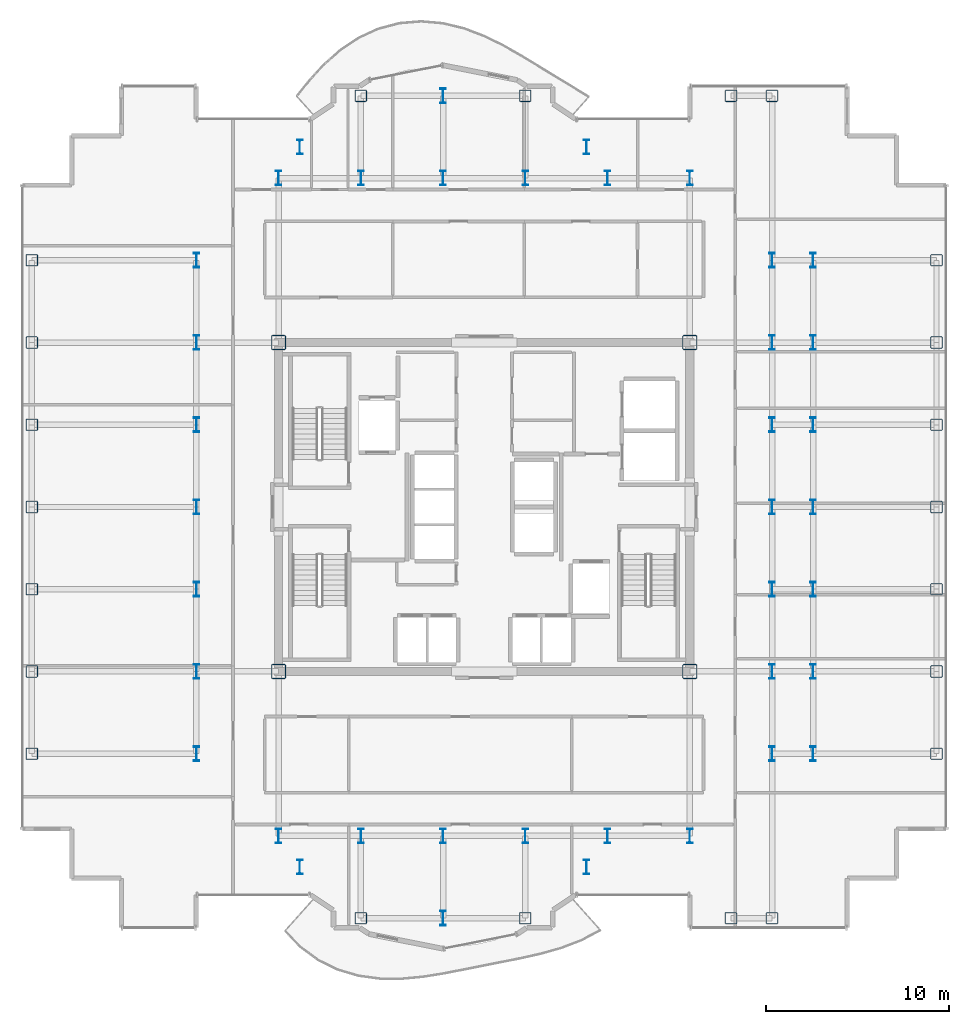
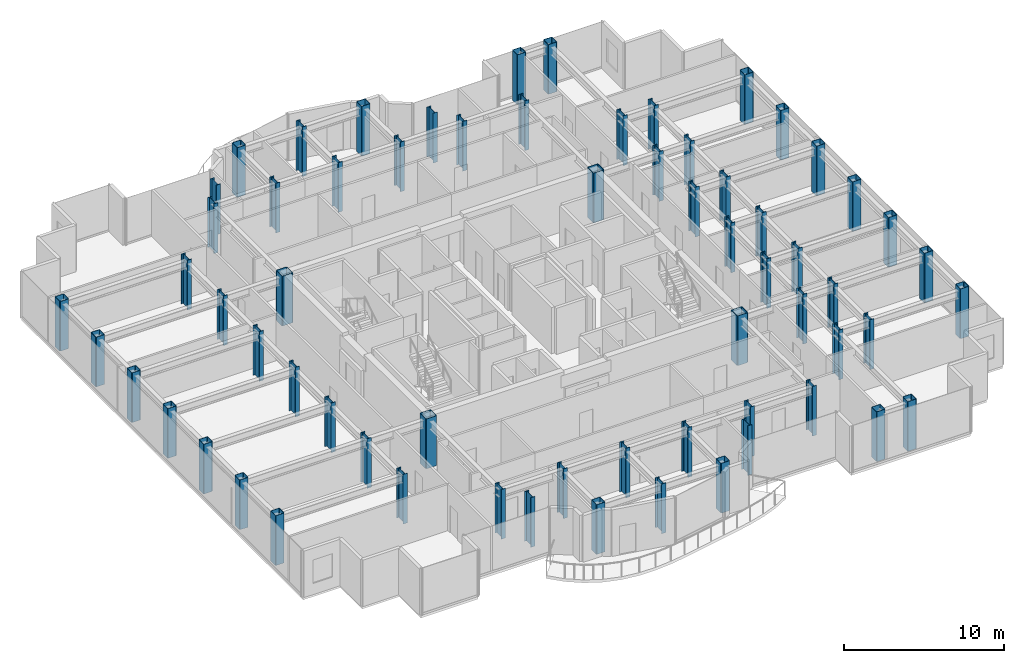
# One storey, part 1 of 21: 65 columns.
"""IFC4 building model written with IfcOpenShell, lengths in metres."""

from ifc_helpers import new_model, si_unit, direction, frame, origin, origin_2d, place, context, subcontext, project, spatial, hollow_rectangle, i_section, extrude, source, transform, mapped, material, material_profile, profile_set, type_object, element, save


model = new_model("IFC4")

# Units and contexts
model_context = context("Model", 3, precision=1e-05, world=origin(), true_north=direction((0.0, 1.0)))
body_context = subcontext(model_context, "Body", "Model", "MODEL_VIEW")
ifc_project = project(units=[si_unit("LENGTHUNIT", "METRE"), si_unit("AREAUNIT", "SQUARE_METRE"), si_unit("VOLUMEUNIT", "CUBIC_METRE"), si_unit("PLANEANGLEUNIT", "RADIAN"), si_unit("MASSUNIT", "GRAM", prefix="KILO")], contexts=[model_context])

# Site, building, storey
site_placement = place(None, origin())
site = spatial("IfcSite", under=ifc_project, at=site_placement, CompositionType="ELEMENT")
building_placement = place(site_placement, origin())
building = spatial("IfcBuilding", under=site, at=building_placement, Name="Nefas-Gora Pilgrimage Tower", CompositionType="ELEMENT")
storey_placement = place(building_placement, frame((0.0, 0.0, 248.39990234375)))
storey = spatial("IfcBuildingStorey", under=building, at=storey_placement, Name="L62", CompositionType="ELEMENT", Elevation=248.39990234375)

# Columns
ifc_material = material(Name="Steel S460", Category="steel")
ifc_material_profile_1 = material_profile(ifc_material, i_section(OverallWidth=0.302978515625, OverallDepth=0.81396484375, WebThickness=0.02099609375, FlangeThickness=0.0400390625, FilletRadius=0.030029296875, at=origin_2d()), Name="HEM 800")
ifc_profile_set_1 = profile_set([ifc_material_profile_1], Name="Steel S460")
column_type_1 = type_object("IfcColumnType", Name="COL-WEB-HEM800", PredefinedType="COLUMN", material=ifc_profile_set_1)
shared_shape_1 = source(origin(), body_context, "Body", "SweptSolid", [
    extrude(i_section(OverallWidth=0.302978515625, OverallDepth=0.81396484375, WebThickness=0.02099609375, FlangeThickness=0.0400390625, FilletRadius=0.030029296875, at=origin_2d()), origin(), (0.0, 0.0, 1.0), 3.800048828125),
])
for number, where, z_axis, x_axis, name in (
    (1, (-15.75, -13.5, 0.0), (0.0, 0.0, 1.0), (1.0, 0.0, 0.0), "L62 Tower Column CW-02.8"),
    (2, (-15.75, -9.0, 0.0), (0.0, 0.0, 1.0), (1.0, 0.0, 0.0), "L62 Tower Column CW-02.9"),
    (3, (-15.75, -4.5, 0.0), (0.0, 0.0, 1.0), (1.0, 0.0, 0.0), "L62 Tower Column CW-02.10"),
    (4, (-15.75, 0.0, 0.0), (0.0, 0.0, 1.0), (1.0, 0.0, 0.0), "L62 Tower Column CW-02.11"),
    (5, (-15.75, 4.5, 0.0), (0.0, 0.0, 1.0), (1.0, 0.0, 0.0), "L62 Tower Column CW-02.12"),
    (6, (-15.75, 9.0, 0.0), (0.0, 0.0, 1.0), (1.0, 0.0, 0.0), "L62 Tower Column CW-02.13"),
    (7, (-15.75, 13.5, 0.0), (0.0, 0.0, 1.0), (1.0, 0.0, 0.0), "L62 Tower Column CW-02.14"),
    (8, (-11.25, -18.0, 0.0), (0.0, 0.0, 1.0), (1.0, 0.0, 0.0), "L62 Tower Column CW-02.15"),
    (9, (-11.25, 18.0, 0.0), (0.0, 0.0, 1.0), (1.0, 0.0, 0.0), "L62 Tower Column CW-02.18"),
    (10, (-10.091064453125, -19.696044921875, 0.0), (0.0, 0.0, 1.0), (1.0, 0.0, 0.0), "L62 Tower Column CW-02.19"),
    (11, (-10.091064453125, 19.696044921875, 0.0), (0.0, 0.0, 1.0), (1.0, 0.0, 0.0), "L62 Tower Column CW-02.20"),
    (12, (-6.75, -18.0, 0.0), (0.0, 0.0, 1.0), (1.0, 0.0, 0.0), "L62 Tower Column CW-02.22"),
    (13, (-6.75, 18.0, 0.0), (0.0, 0.0, 1.0), (1.0, 0.0, 0.0), "L62 Tower Column CW-02.23"),
    (14, (-2.25, -22.5, 0.0), (0.0, 0.0, 1.0), (1.0, 0.0, 0.0), "L62 Tower Column CW-02.25"),
    (15, (-2.25, -18.0, 0.0), (0.0, 0.0, 1.0), (1.0, 0.0, 0.0), "L62 Tower Column CW-02.26"),
    (16, (-2.25, 18.0, 0.0), (0.0, 0.0, 1.0), (1.0, 0.0, 0.0), "L62 Tower Column CW-02.27"),
    (17, (-2.25, 22.5, 0.0), (0.0, 0.0, 1.0), (1.0, 0.0, 0.0), "L62 Tower Column CW-02.28"),
    (18, (2.25, -18.0, 0.0), (0.0, 0.0, 1.0), (1.0, 0.0, 0.0), "L62 Tower Column CW-02.30"),
    (19, (2.25, 18.0, 0.0), (0.0, 0.0, 1.0), (1.0, 0.0, 0.0), "L62 Tower Column CW-02.31"),
    (20, (5.591064453125, -19.696044921875, 0.0), (0.0, 0.0, 1.0), (1.0, 0.0, 0.0), "L62 Tower Column CW-02.33"),
    (21, (5.591064453125, 19.696044921875, 0.0), (0.0, 0.0, 1.0), (1.0, 0.0, 0.0), "L62 Tower Column CW-02.34"),
    (22, (6.75, -18.0, 0.0), (0.0, 0.0, 1.0), (1.0, 0.0, 0.0), "L62 Tower Column CW-02.35"),
    (23, (6.75, 18.0, 0.0), (0.0, 0.0, 1.0), (1.0, 0.0, 0.0), "L62 Tower Column CW-02.36"),
    (24, (11.25, -18.0, 0.0), (0.0, 0.0, 1.0), (1.0, 0.0, 0.0), "L62 Tower Column CW-02.37"),
    (25, (11.25, 18.0, 0.0), (0.0, 0.0, 1.0), (1.0, 0.0, 0.0), "L62 Tower Column CW-02.40"),
    (26, (15.75, -13.5, 0.0), (0.0, 0.0, 1.0), (1.0, 0.0, 0.0), "L62 Tower Column CW-02.44"),
    (27, (15.75, -9.0, 0.0), (0.0, 0.0, 1.0), (1.0, 0.0, 0.0), "L62 Tower Column CW-02.45"),
    (28, (15.75, -4.5, 0.0), (0.0, 0.0, 1.0), (1.0, 0.0, 0.0), "L62 Tower Column CW-02.46"),
    (29, (15.75, 0.0, 0.0), (0.0, 0.0, 1.0), (1.0, 0.0, 0.0), "L62 Tower Column CW-02.47"),
    (30, (15.75, 4.5, 0.0), (0.0, 0.0, 1.0), (1.0, 0.0, 0.0), "L62 Tower Column CW-02.48"),
    (31, (15.75, 9.0, 0.0), (0.0, 0.0, 1.0), (1.0, 0.0, 0.0), "L62 Tower Column CW-02.49"),
    (32, (15.75, 13.5, 0.0), (0.0, 0.0, 1.0), (1.0, 0.0, 0.0), "L62 Tower Column CW-02.50"),
    (33, (18.0, -13.5, 0.0), (0.0, 0.0, 1.0), (1.0, 0.0, 0.0), "L62 Tower Column CW-02.52"),
    (34, (18.0, -9.0, 0.0), (0.0, 0.0, 1.0), (1.0, 0.0, 0.0), "L62 Tower Column CW-02.53"),
    (35, (18.0, -4.5, 0.0), (0.0, 0.0, 1.0), (1.0, 0.0, 0.0), "L62 Tower Column CW-02.54"),
    (36, (18.0, 0.0, 0.0), (0.0, 0.0, 1.0), (1.0, 0.0, 0.0), "L62 Tower Column CW-02.55"),
    (37, (18.0, 4.5, 0.0), (0.0, 0.0, 1.0), (1.0, 0.0, 0.0), "L62 Tower Column CW-02.56"),
    (38, (18.0, 9.0, 0.0), (0.0, 0.0, 1.0), (1.0, 0.0, 0.0), "L62 Tower Column CW-02.57"),
    (39, (18.0, 13.5, 0.0), (0.0, 0.0, 1.0), (1.0, 0.0, 0.0), "L62 Tower Column CW-02.58"),
):
    element("IfcColumn", number, at=place(storey_placement, frame(where, z_axis=z_axis, x_axis=x_axis)), inside=storey, type_object=column_type_1, Name=name, PredefinedType="COLUMN", context=body_context, shape_type="MappedRepresentation", body=[
        mapped(shared_shape_1, transform((0.0, 0.0, 0.0), x_axis=(1.0, 0.0, 0.0), y_axis=(0.0, 1.0, 0.0), z_axis=(0.0, 0.0, 1.0), scale=1.0)),
    ])
ifc_material_profile_2 = material_profile(ifc_material, hollow_rectangle(XDim=0.800048828125, YDim=0.800048828125, WallThickness=0.0400390625, InnerFilletRadius=0.0400390625, OuterFilletRadius=0.080078125, at=origin_2d()), Name="BOX 800x800x40")
ifc_profile_set_2 = profile_set([ifc_material_profile_2], Name="Steel S460")
column_type_2 = type_object("IfcColumnType", Name="COL-CORE-800", PredefinedType="COLUMN", material=ifc_profile_set_2)
shared_shape_2 = source(origin(), body_context, "Body", "SweptSolid", [
    extrude(hollow_rectangle(XDim=0.800048828125, YDim=0.800048828125, WallThickness=0.0400390625, InnerFilletRadius=0.0400390625, OuterFilletRadius=0.080078125, at=origin_2d()), origin(), (0.0, 0.0, 1.0), 3.800048828125),
])
for number, where, z_axis, x_axis, name in (
    (40, (-11.25, -9.0, 0.0), (0.0, 0.0, 1.0), (1.0, 0.0, 0.0), "L62 Tower Column CC-Z2.16"),
    (41, (-11.25, 9.0, 0.0), (0.0, 0.0, 1.0), (1.0, 0.0, 0.0), "L62 Tower Column CC-Z2.17"),
    (42, (11.25, -9.0, 0.0), (0.0, 0.0, 1.0), (1.0, 0.0, 0.0), "L62 Tower Column CC-Z2.38"),
    (43, (11.25, 9.0, 0.0), (0.0, 0.0, 1.0), (1.0, 0.0, 0.0), "L62 Tower Column CC-Z2.39"),
):
    element("IfcColumn", number, at=place(storey_placement, frame(where, z_axis=z_axis, x_axis=x_axis)), inside=storey, type_object=column_type_2, Name=name, PredefinedType="COLUMN", context=body_context, shape_type="MappedRepresentation", body=[
        mapped(shared_shape_2, transform((0.0, 0.0, 0.0), x_axis=(1.0, 0.0, 0.0), y_axis=(0.0, 1.0, 0.0), z_axis=(0.0, 0.0, 1.0), scale=1.0)),
    ])
ifc_material_profile_3 = material_profile(ifc_material, hollow_rectangle(XDim=0.64990234375, YDim=0.64990234375, WallThickness=0.031982421875, InnerFilletRadius=0.031982421875, OuterFilletRadius=0.06396484375, at=origin_2d()), Name="BOX 650x650x32")
ifc_profile_set_3 = profile_set([ifc_material_profile_3], Name="Steel S460")
column_type_3 = type_object("IfcColumnType", Name="COL-TUBE-650", PredefinedType="COLUMN", material=ifc_profile_set_3)
shared_shape_3 = source(origin(), body_context, "Body", "SweptSolid", [
    extrude(hollow_rectangle(XDim=0.64990234375, YDim=0.64990234375, WallThickness=0.031982421875, InnerFilletRadius=0.031982421875, OuterFilletRadius=0.06396484375, at=origin_2d()), origin(), (0.0, 0.0, 1.0), 3.800048828125),
])
for number, where, z_axis, x_axis, name in (
    (44, (-24.75, -13.5, 0.0), (0.0, 0.0, 1.0), (1.0, 0.0, 0.0), "L62 Tower Column C-Z3.1"),
    (45, (-24.75, -9.0, 0.0), (0.0, 0.0, 1.0), (1.0, 0.0, 0.0), "L62 Tower Column C-Z3.2"),
    (46, (-24.75, -4.5, 0.0), (0.0, 0.0, 1.0), (1.0, 0.0, 0.0), "L62 Tower Column C-Z3.3"),
    (47, (-24.75, 0.0, 0.0), (0.0, 0.0, 1.0), (1.0, 0.0, 0.0), "L62 Tower Column C-Z3.4"),
    (48, (-24.75, 4.5, 0.0), (0.0, 0.0, 1.0), (1.0, 0.0, 0.0), "L62 Tower Column C-Z3.5"),
    (49, (-24.75, 9.0, 0.0), (0.0, 0.0, 1.0), (1.0, 0.0, 0.0), "L62 Tower Column C-Z3.6"),
    (50, (-24.75, 13.5, 0.0), (0.0, 0.0, 1.0), (1.0, 0.0, 0.0), "L62 Tower Column C-Z3.7"),
    (51, (-6.75, -22.5, 0.0), (0.0, 0.0, 1.0), (1.0, 0.0, 0.0), "L62 Tower Column C-Z3.21"),
    (52, (-6.75, 22.5, 0.0), (0.0, 0.0, 1.0), (1.0, 0.0, 0.0), "L62 Tower Column C-Z3.24"),
    (53, (2.25, -22.5, 0.0), (0.0, 0.0, 1.0), (1.0, 0.0, 0.0), "L62 Tower Column C-Z3.29"),
    (54, (2.25, 22.5, 0.0), (0.0, 0.0, 1.0), (1.0, 0.0, 0.0), "L62 Tower Column C-Z3.32"),
    (55, (13.5, -22.5, 0.0), (0.0, 0.0, 1.0), (1.0, 0.0, 0.0), "L62 Tower Column C-Z3.41"),
    (56, (13.5, 22.5, 0.0), (0.0, 0.0, 1.0), (1.0, 0.0, 0.0), "L62 Tower Column C-Z3.42"),
    (57, (15.75, -22.5, 0.0), (0.0, 0.0, 1.0), (1.0, 0.0, 0.0), "L62 Tower Column C-Z3.43"),
    (58, (15.75, 22.5, 0.0), (0.0, 0.0, 1.0), (1.0, 0.0, 0.0), "L62 Tower Column C-Z3.51"),
    (59, (24.75, -13.5, 0.0), (0.0, 0.0, 1.0), (1.0, 0.0, 0.0), "L62 Tower Column C-Z3.59"),
    (60, (24.75, -9.0, 0.0), (0.0, 0.0, 1.0), (1.0, 0.0, 0.0), "L62 Tower Column C-Z3.60"),
    (61, (24.75, -4.5, 0.0), (0.0, 0.0, 1.0), (1.0, 0.0, 0.0), "L62 Tower Column C-Z3.61"),
    (62, (24.75, 0.0, 0.0), (0.0, 0.0, 1.0), (1.0, 0.0, 0.0), "L62 Tower Column C-Z3.62"),
    (63, (24.75, 4.5, 0.0), (0.0, 0.0, 1.0), (1.0, 0.0, 0.0), "L62 Tower Column C-Z3.63"),
    (64, (24.75, 9.0, 0.0), (0.0, 0.0, 1.0), (1.0, 0.0, 0.0), "L62 Tower Column C-Z3.64"),
    (65, (24.75, 13.5, 0.0), (0.0, 0.0, 1.0), (1.0, 0.0, 0.0), "L62 Tower Column C-Z3.65"),
):
    element("IfcColumn", number, at=place(storey_placement, frame(where, z_axis=z_axis, x_axis=x_axis)), inside=storey, type_object=column_type_3, Name=name, PredefinedType="COLUMN", context=body_context, shape_type="MappedRepresentation", body=[
        mapped(shared_shape_3, transform((0.0, 0.0, 0.0), x_axis=(1.0, 0.0, 0.0), y_axis=(0.0, 1.0, 0.0), z_axis=(0.0, 0.0, 1.0), scale=1.0)),
    ])

save(model, "model.ifc")
